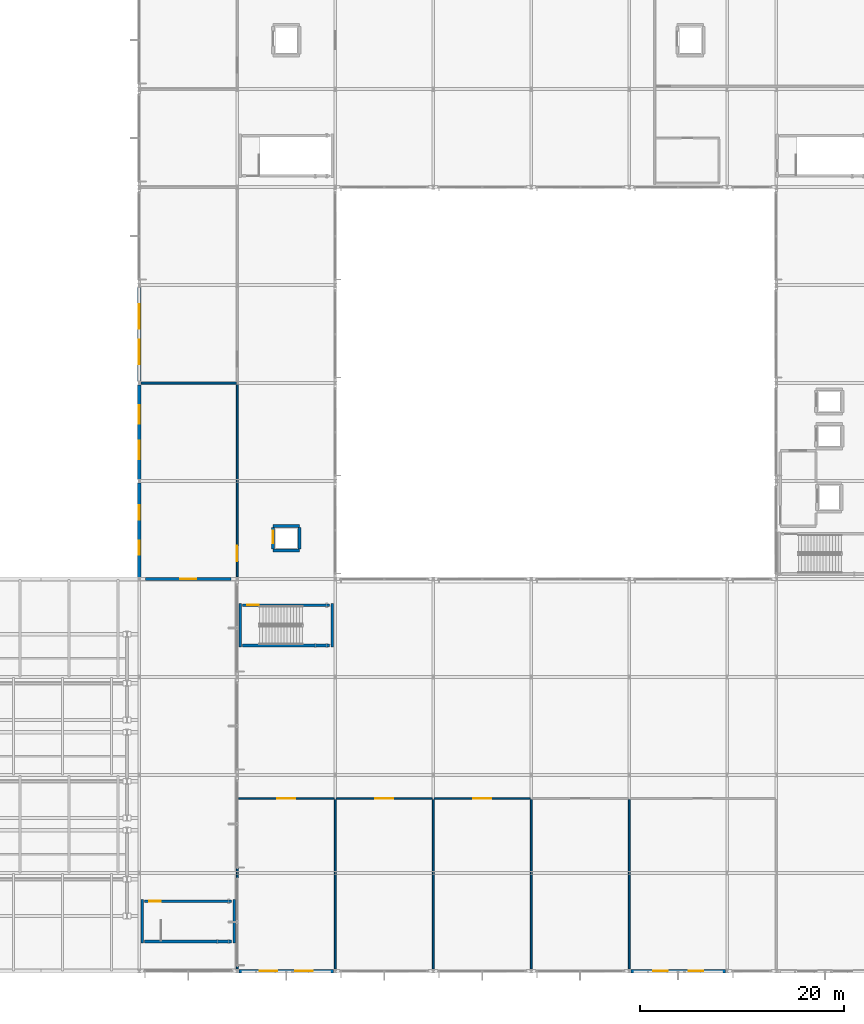
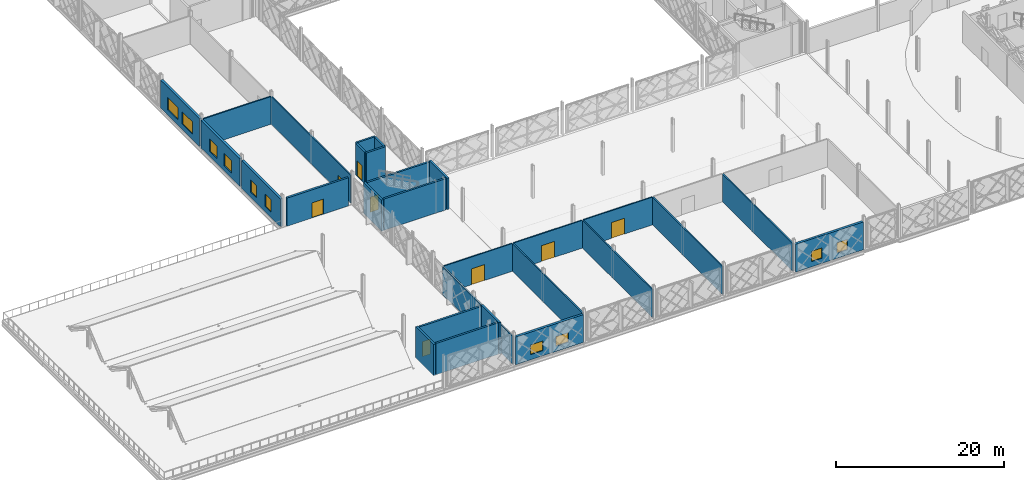
# One storey, part 48 of 77: 28 walls, 10 windows, 8 doors, 18 openings.
"""IFC4 building model written with IfcOpenShell, lengths in metres."""

from ifc_helpers import new_model, si_unit, direction, frame, frame_2d, origin, place, context, subcontext, project, spatial, rectangle, extrude, material, layer, layer_set, type_object, element, fill, save


model = new_model("IFC4")

# Units and contexts
model_context = context("Model", 3, precision=1e-05, world=origin(), true_north=direction((0.0, 1.0)))
body_context = subcontext(model_context, "Body", "Model", "MODEL_VIEW")
ifc_project = project(units=[si_unit("LENGTHUNIT", "METRE"), si_unit("AREAUNIT", "SQUARE_METRE"), si_unit("VOLUMEUNIT", "CUBIC_METRE"), si_unit("PLANEANGLEUNIT", "RADIAN"), si_unit("MASSUNIT", "GRAM", prefix="KILO")], contexts=[model_context])

# Site, building, storey
site_placement = place(None, origin())
site = spatial("IfcSite", under=ifc_project, at=site_placement, CompositionType="ELEMENT")
building_placement = place(site_placement, origin())
building = spatial("IfcBuilding", under=site, at=building_placement, Name="Zevrakil Square Congress Hotel", CompositionType="ELEMENT")
storey_placement = place(building_placement, frame((0.0, 0.0, 9.89990234375)))
storey = spatial("IfcBuildingStorey", under=building, at=storey_placement, Name="L03", CompositionType="ELEMENT", Elevation=9.89990234375)

# Wall, opening, door
ifc_material_1 = material(Name="Gypsum Acoustic Stud Partition")
ifc_layer_1 = layer(ifc_material_1, 0.159912109375)
ifc_layer_set_1 = layer_set([ifc_layer_1], Name="Gypsum Acoustic Stud Partition")
wall_type_1 = type_object("IfcWallType", Name="WAL-CORR-160", PredefinedType="PARTITIONING", material=ifc_layer_set_1)
wall_1_placement = place(storey_placement, frame((55.300048828125, 24.10009765625, 0.0), z_axis=(0.0, 0.0, 1.0), x_axis=(1.0, 0.0, 0.0)))
wall_1 = element("IfcWall", 1, at=wall_1_placement, inside=storey, type_object=wall_type_1, Name="L03 interior partition PW-L03-0213", PredefinedType="PARTITIONING", context=body_context, shape_type="SweptSolid", body=[
    extrude(rectangle(XDim=9.39990234375, YDim=0.159912109375, at=frame_2d((4.699951171875, 0.0))), origin(), (0.0, 0.0, 1.0), 4.025146484375),
])
opening_1_placement = place(wall_1_placement, frame((3.800048828125, 0.0, 0.0)))
opening_1 = element("IfcOpeningElement", 2, at=opening_1_placement, cuts=wall_1, Name="Opening ID-04", PredefinedType="OPENING", context=body_context, shape_type="SweptSolid", body=[
    extrude(rectangle(XDim=1.800048828125, YDim=2.300048828125, at=frame_2d((0.89990234375, 1.14990234375))), frame((0.0, 0.08984375, 0.0), z_axis=(0.0, -1.0, 0.0), x_axis=(1.0, 0.0, 0.0)), (0.0, 0.0, 1.0), 0.179931640625),
])
ifc_material_2 = material(Name="Diplomatic Boardroom Double Door")
door_type_1 = type_object("IfcDoorType", Name="DOR-MTG-180", OperationType="NOTDEFINED", PredefinedType="DOOR", material=ifc_material_2)
door_1_placement = place(opening_1_placement, origin())
door_1 = element("IfcDoor", 3, at=door_1_placement, inside=storey, type_object=door_type_1, Name="L03 interior door 90", OperationType="DOUBLE_DOOR_SINGLE_SWING", OverallHeight=2.300048828125, OverallWidth=1.800048828125, PredefinedType="DOOR", context=body_context, shape_type="SweptSolid", body=[
    extrude(rectangle(XDim=1.800048828125, YDim=2.300048828125, at=frame_2d((0.89990234375, 1.14990234375))), frame((0.0, 0.02490234375, 0.0), z_axis=(0.0, -1.0, 0.0), x_axis=(1.0, 0.0, 0.0)), (0.0, 0.0, 1.0), 0.050048828125),
])
fill(opening_1, door_1)

wall_2_placement = place(storey_placement, frame((64.89990234375, 24.10009765625, 0.0), z_axis=(0.0, 0.0, 1.0), x_axis=(1.0, 0.0, 0.0)))
wall_2 = element("IfcWall", 4, at=wall_2_placement, inside=storey, type_object=wall_type_1, Name="L03 interior partition PW-L03-0215", PredefinedType="PARTITIONING", context=body_context, shape_type="SweptSolid", body=[
    extrude(rectangle(XDim=9.400146484375, YDim=0.159912109375, at=frame_2d((4.7001953125, 0.0))), origin(), (0.0, 0.0, 1.0), 4.025146484375),
])
opening_2_placement = place(wall_2_placement, frame((3.800048828125, 0.0, 0.0)))
opening_2 = element("IfcOpeningElement", 5, at=opening_2_placement, cuts=wall_2, Name="Opening ID-04", PredefinedType="OPENING", context=body_context, shape_type="SweptSolid", body=[
    extrude(rectangle(XDim=1.800048828125, YDim=2.300048828125, at=frame_2d((0.89990234375, 1.14990234375))), frame((0.0, 0.08984375, 0.0), z_axis=(0.0, -1.0, 0.0), x_axis=(1.0, 0.0, 0.0)), (0.0, 0.0, 1.0), 0.179931640625),
])
door_2_placement = place(opening_2_placement, origin())
door_2 = element("IfcDoor", 6, at=door_2_placement, inside=storey, type_object=door_type_1, Name="L03 interior door 91", OperationType="DOUBLE_DOOR_SINGLE_SWING", OverallHeight=2.300048828125, OverallWidth=1.800048828125, PredefinedType="DOOR", context=body_context, shape_type="SweptSolid", body=[
    extrude(rectangle(XDim=1.800048828125, YDim=2.300048828125, at=frame_2d((0.89990234375, 1.14990234375))), frame((0.0, 0.02490234375, 0.0), z_axis=(0.0, -1.0, 0.0), x_axis=(1.0, 0.0, 0.0)), (0.0, 0.0, 1.0), 0.050048828125),
])
fill(opening_2, door_2)

wall_3_placement = place(storey_placement, frame((74.5, 24.10009765625, 0.0), z_axis=(0.0, 0.0, 1.0), x_axis=(1.0, 0.0, 0.0)))
wall_3 = element("IfcWall", 7, at=wall_3_placement, inside=storey, type_object=wall_type_1, Name="L03 interior partition PW-L03-0217", PredefinedType="PARTITIONING", context=body_context, shape_type="SweptSolid", body=[
    extrude(rectangle(XDim=9.39990234375, YDim=0.159912109375, at=frame_2d((4.699951171875, 0.0))), origin(), (0.0, 0.0, 1.0), 4.025146484375),
])
opening_3_placement = place(wall_3_placement, frame((3.800048828125, 0.0, 0.0)))
opening_3 = element("IfcOpeningElement", 8, at=opening_3_placement, cuts=wall_3, Name="Opening ID-04", PredefinedType="OPENING", context=body_context, shape_type="SweptSolid", body=[
    extrude(rectangle(XDim=1.800048828125, YDim=2.300048828125, at=frame_2d((0.89990234375, 1.14990234375))), frame((0.0, 0.08984375, 0.0), z_axis=(0.0, -1.0, 0.0), x_axis=(1.0, 0.0, 0.0)), (0.0, 0.0, 1.0), 0.179931640625),
])
door_3_placement = place(opening_3_placement, origin())
door_3 = element("IfcDoor", 9, at=door_3_placement, inside=storey, type_object=door_type_1, Name="L03 interior door 92", OperationType="DOUBLE_DOOR_SINGLE_SWING", OverallHeight=2.300048828125, OverallWidth=1.800048828125, PredefinedType="DOOR", context=body_context, shape_type="SweptSolid", body=[
    extrude(rectangle(XDim=1.800048828125, YDim=2.300048828125, at=frame_2d((0.89990234375, 1.14990234375))), frame((0.0, 0.02490234375, 0.0), z_axis=(0.0, -1.0, 0.0), x_axis=(1.0, 0.0, 0.0)), (0.0, 0.0, 1.0), 0.050048828125),
])
fill(opening_3, door_3)

wall_4_placement = place(storey_placement, frame((55.199951171875, 45.85009765625, 0.0), z_axis=(0.0, 0.0, 1.0), x_axis=(0.0, 1.0, 0.0)))
wall_4 = element("IfcWall", 10, at=wall_4_placement, inside=storey, type_object=wall_type_1, Name="L03 interior partition PW-L03-0224", PredefinedType="PARTITIONING", context=body_context, shape_type="SweptSolid", body=[
    extrude(rectangle(XDim=18.849853515625, YDim=0.159912109375, at=frame_2d((9.4248046875, 0.0))), origin(), (0.0, 0.0, 1.0), 4.025146484375),
])
opening_4_placement = place(wall_4_placement, frame((1.5, 0.0, 0.0)))
opening_4 = element("IfcOpeningElement", 11, at=opening_4_placement, cuts=wall_4, Name="Opening ID-03", PredefinedType="OPENING", context=body_context, shape_type="SweptSolid", body=[
    extrude(rectangle(XDim=1.5, YDim=2.25, at=frame_2d((0.75, 1.125))), frame((0.0, 0.08984375, 0.0), z_axis=(0.0, -1.0, 0.0), x_axis=(1.0, 0.0, 0.0)), (0.0, 0.0, 1.0), 0.179931640625),
])
ifc_material_3 = material(Name="Acoustic Double Meeting Door")
door_type_2 = type_object("IfcDoorType", Name="DOR-MTG-150", OperationType="NOTDEFINED", PredefinedType="DOOR", material=ifc_material_3)
door_4_placement = place(opening_4_placement, origin())
door_4 = element("IfcDoor", 12, at=door_4_placement, inside=storey, type_object=door_type_2, Name="L03 interior door 95", OperationType="DOUBLE_DOOR_SINGLE_SWING", OverallHeight=2.25, OverallWidth=1.5, PredefinedType="DOOR", context=body_context, shape_type="SweptSolid", body=[
    extrude(rectangle(XDim=1.5, YDim=2.25, at=frame_2d((0.75, 1.125))), frame((0.0, 0.02490234375, 0.0), z_axis=(0.0, -1.0, 0.0), x_axis=(1.0, 0.0, 0.0)), (0.0, 0.0, 1.0), 0.050048828125),
])
fill(opening_4, door_4)

# Wall, openings, windows
ifc_material_4 = material(Name="Precast concrete C40/50", Category="concrete")
ifc_layer_2 = layer(ifc_material_4, 0.320068359375)
ifc_layer_set_2 = layer_set([ifc_layer_2], Name="Precast concrete C40/50")
wall_type_2 = type_object("IfcWallType", Name="WAL-EXT-GRC-320", PredefinedType="SOLIDWALL", material=ifc_layer_set_2)
wall_5_placement = place(storey_placement, frame((55.35400390625, 7.199951171875, 0.0), z_axis=(0.0, 0.0, 1.0), x_axis=(1.0, 0.0, 0.0)))
wall_5 = element("IfcWall", 13, at=wall_5_placement, inside=storey, type_object=wall_type_2, Name="L03 exterior GRC wall EW-L03-0010", PredefinedType="SOLIDWALL", context=body_context, shape_type="SweptSolid", body=[
    extrude(rectangle(XDim=9.2919921875, YDim=0.320068359375, at=frame_2d((4.64599609375, 0.0))), origin(), (0.0, 0.0, 1.0), 4.025146484375),
])
opening_5_placement = place(wall_5_placement, frame((2.048095703125, 0.0, 0.75)))
opening_5 = element("IfcOpeningElement", 14, at=opening_5_placement, cuts=wall_5, Name="Opening WN-04", PredefinedType="OPENING", context=body_context, shape_type="SweptSolid", body=[
    extrude(rectangle(XDim=1.699951171875, YDim=1.39990234375, at=frame_2d((0.85009765625, 0.699951171875))), frame((0.0, 0.169921875, 0.0), z_axis=(0.0, -1.0, 0.0), x_axis=(1.0, 0.0, 0.0)), (0.0, 0.0, 1.0), 0.340087890625),
])
opening_6_placement = place(wall_5_placement, frame((5.5439453125, 0.0, 0.75)))
opening_6 = element("IfcOpeningElement", 15, at=opening_6_placement, cuts=wall_5, Name="Opening WN-04", PredefinedType="OPENING", context=body_context, shape_type="SweptSolid", body=[
    extrude(rectangle(XDim=1.699951171875, YDim=1.39990234375, at=frame_2d((0.85009765625, 0.699951171875))), frame((0.0, 0.169921875, 0.0), z_axis=(0.0, -1.0, 0.0), x_axis=(1.0, 0.0, 0.0)), (0.0, 0.0, 1.0), 0.340087890625),
])
ifc_material_5 = material(Name="Low-E Solar Control Double Glazing", Category="glass")
window_type_1 = type_object("IfcWindowType", Name="WIN-EXT-04", PartitioningType="SINGLE_PANEL", PredefinedType="WINDOW", material=ifc_material_5)
window_1_placement = place(opening_5_placement, origin())
window_1 = element("IfcWindow", 16, at=window_1_placement, inside=storey, type_object=window_type_1, Name="L03 low-E solar window 4", OverallHeight=1.39990234375, OverallWidth=1.699951171875, PartitioningType="SINGLE_PANEL", PredefinedType="WINDOW", context=body_context, shape_type="SweptSolid", body=[
    extrude(rectangle(XDim=1.699951171875, YDim=1.39990234375, at=frame_2d((0.85009765625, 0.699951171875))), frame((0.0, 0.030029296875, 0.0), z_axis=(0.0, -1.0, 0.0), x_axis=(1.0, 0.0, 0.0)), (0.0, 0.0, 1.0), 0.06005859375),
])
fill(opening_5, window_1)
window_2_placement = place(opening_6_placement, origin())
window_2 = element("IfcWindow", 17, at=window_2_placement, inside=storey, type_object=window_type_1, Name="L03 low-E solar window 5", OverallHeight=1.39990234375, OverallWidth=1.699951171875, PartitioningType="SINGLE_PANEL", PredefinedType="WINDOW", context=body_context, shape_type="SweptSolid", body=[
    extrude(rectangle(XDim=1.699951171875, YDim=1.39990234375, at=frame_2d((0.85009765625, 0.699951171875))), frame((0.0, 0.030029296875, 0.0), z_axis=(0.0, -1.0, 0.0), x_axis=(1.0, 0.0, 0.0)), (0.0, 0.0, 1.0), 0.06005859375),
])
fill(opening_6, window_2)

wall_6_placement = place(storey_placement, frame((93.75390625, 7.199951171875, 0.0), z_axis=(0.0, 0.0, 1.0), x_axis=(1.0, 0.0, 0.0)))
wall_6 = element("IfcWall", 18, at=wall_6_placement, inside=storey, type_object=wall_type_2, Name="L03 exterior GRC wall EW-L03-0016", PredefinedType="SOLIDWALL", context=body_context, shape_type="SweptSolid", body=[
    extrude(rectangle(XDim=9.2919921875, YDim=0.320068359375, at=frame_2d((4.64599609375, 0.0))), origin(), (0.0, 0.0, 1.0), 4.025146484375),
])
opening_7_placement = place(wall_6_placement, frame((2.197998046875, 0.0, 0.75)))
opening_7 = element("IfcOpeningElement", 19, at=opening_7_placement, cuts=wall_6, Name="Opening WN-08", PredefinedType="OPENING", context=body_context, shape_type="SweptSolid", body=[
    extrude(rectangle(XDim=1.39990234375, YDim=1.5, at=frame_2d((0.699951171875, 0.75))), frame((0.0, 0.169921875, 0.0), z_axis=(0.0, -1.0, 0.0), x_axis=(1.0, 0.0, 0.0)), (0.0, 0.0, 1.0), 0.340087890625),
])
opening_8_placement = place(wall_6_placement, frame((5.694091796875, 0.0, 0.75)))
opening_8 = element("IfcOpeningElement", 20, at=opening_8_placement, cuts=wall_6, Name="Opening WN-08", PredefinedType="OPENING", context=body_context, shape_type="SweptSolid", body=[
    extrude(rectangle(XDim=1.39990234375, YDim=1.5, at=frame_2d((0.699951171875, 0.75))), frame((0.0, 0.169921875, 0.0), z_axis=(0.0, -1.0, 0.0), x_axis=(1.0, 0.0, 0.0)), (0.0, 0.0, 1.0), 0.340087890625),
])
ifc_material_6 = material(Name="Low-E Solar Control Double Glazing", Category="glass")
window_type_2 = type_object("IfcWindowType", Name="WIN-EXT-08", PartitioningType="SINGLE_PANEL", PredefinedType="WINDOW", material=ifc_material_6)
window_3_placement = place(opening_7_placement, origin())
window_3 = element("IfcWindow", 21, at=window_3_placement, inside=storey, type_object=window_type_2, Name="L03 low-E solar window 8", OverallHeight=1.5, OverallWidth=1.39990234375, PartitioningType="SINGLE_PANEL", PredefinedType="WINDOW", context=body_context, shape_type="SweptSolid", body=[
    extrude(rectangle(XDim=1.39990234375, YDim=1.5, at=frame_2d((0.699951171875, 0.75))), frame((0.0, 0.030029296875, 0.0), z_axis=(0.0, -1.0, 0.0), x_axis=(1.0, 0.0, 0.0)), (0.0, 0.0, 1.0), 0.06005859375),
])
fill(opening_7, window_3)
window_4_placement = place(opening_8_placement, origin())
window_4 = element("IfcWindow", 22, at=window_4_placement, inside=storey, type_object=window_type_2, Name="L03 low-E solar window 9", OverallHeight=1.5, OverallWidth=1.39990234375, PartitioningType="SINGLE_PANEL", PredefinedType="WINDOW", context=body_context, shape_type="SweptSolid", body=[
    extrude(rectangle(XDim=1.39990234375, YDim=1.5, at=frame_2d((0.699951171875, 0.75))), frame((0.0, 0.030029296875, 0.0), z_axis=(0.0, -1.0, 0.0), x_axis=(1.0, 0.0, 0.0)), (0.0, 0.0, 1.0), 0.06005859375),
])
fill(opening_8, window_4)

wall_7_placement = place(storey_placement, frame((45.60009765625, 45.783935546875, 0.0), z_axis=(0.0, 0.0, 1.0), x_axis=(0.0, 1.0, 0.0)))
wall_7 = element("IfcWall", 23, at=wall_7_placement, inside=storey, type_object=wall_type_2, Name="L03 exterior GRC wall EW-L03-0033", PredefinedType="SOLIDWALL", context=body_context, shape_type="SweptSolid", body=[
    extrude(rectangle(XDim=9.232177734375, YDim=0.320068359375, at=frame_2d((4.6162109375, 0.0))), origin(), (0.0, 0.0, 1.0), 4.025146484375),
])
opening_9_placement = place(wall_7_placement, frame((2.18310546875, 0.0, 0.75)))
opening_9 = element("IfcOpeningElement", 24, at=opening_9_placement, cuts=wall_7, Name="Opening WN-20", PredefinedType="OPENING", context=body_context, shape_type="SweptSolid", body=[
    extrude(rectangle(XDim=1.39990234375, YDim=1.800048828125, at=frame_2d((0.699951171875, 0.89990234375))), frame((0.0, 0.169921875, 0.0), z_axis=(0.0, -1.0, 0.0), x_axis=(1.0, 0.0, 0.0)), (0.0, 0.0, 1.0), 0.340087890625),
])
opening_10_placement = place(wall_7_placement, frame((5.64892578125, 0.0, 0.75)))
opening_10 = element("IfcOpeningElement", 25, at=opening_10_placement, cuts=wall_7, Name="Opening WN-20", PredefinedType="OPENING", context=body_context, shape_type="SweptSolid", body=[
    extrude(rectangle(XDim=1.39990234375, YDim=1.800048828125, at=frame_2d((0.699951171875, 0.89990234375))), frame((0.0, 0.169921875, 0.0), z_axis=(0.0, -1.0, 0.0), x_axis=(1.0, 0.0, 0.0)), (0.0, 0.0, 1.0), 0.340087890625),
])
ifc_material_7 = material(Name="Low-E Solar Control Double Glazing", Category="glass")
window_type_3 = type_object("IfcWindowType", Name="WIN-EXT-20", PartitioningType="SINGLE_PANEL", PredefinedType="WINDOW", material=ifc_material_7)
window_5_placement = place(opening_9_placement, origin())
window_5 = element("IfcWindow", 26, at=window_5_placement, inside=storey, type_object=window_type_3, Name="L03 low-E solar window 20", OverallHeight=1.800048828125, OverallWidth=1.39990234375, PartitioningType="SINGLE_PANEL", PredefinedType="WINDOW", context=body_context, shape_type="SweptSolid", body=[
    extrude(rectangle(XDim=1.39990234375, YDim=1.800048828125, at=frame_2d((0.699951171875, 0.89990234375))), frame((0.0, 0.030029296875, 0.0), z_axis=(0.0, -1.0, 0.0), x_axis=(1.0, 0.0, 0.0)), (0.0, 0.0, 1.0), 0.06005859375),
])
fill(opening_9, window_5)
window_6_placement = place(opening_10_placement, origin())
window_6 = element("IfcWindow", 27, at=window_6_placement, inside=storey, type_object=window_type_3, Name="L03 low-E solar window 21", OverallHeight=1.800048828125, OverallWidth=1.39990234375, PartitioningType="SINGLE_PANEL", PredefinedType="WINDOW", context=body_context, shape_type="SweptSolid", body=[
    extrude(rectangle(XDim=1.39990234375, YDim=1.800048828125, at=frame_2d((0.699951171875, 0.89990234375))), frame((0.0, 0.030029296875, 0.0), z_axis=(0.0, -1.0, 0.0), x_axis=(1.0, 0.0, 0.0)), (0.0, 0.0, 1.0), 0.06005859375),
])
fill(opening_10, window_6)

wall_8_placement = place(storey_placement, frame((45.60009765625, 55.384033203125, 0.0), z_axis=(0.0, 0.0, 1.0), x_axis=(0.0, 1.0, 0.0)))
wall_8 = element("IfcWall", 28, at=wall_8_placement, inside=storey, type_object=wall_type_2, Name="L03 exterior GRC wall EW-L03-0034", PredefinedType="SOLIDWALL", context=body_context, shape_type="SweptSolid", body=[
    extrude(rectangle(XDim=9.23193359375, YDim=0.320068359375, at=frame_2d((4.615966796875, 0.0))), origin(), (0.0, 0.0, 1.0), 4.025146484375),
])
opening_11_placement = place(wall_8_placement, frame((1.98291015625, 0.0, 0.75)))
opening_11 = element("IfcOpeningElement", 29, at=opening_11_placement, cuts=wall_8, Name="Opening WN-22", PredefinedType="OPENING", context=body_context, shape_type="SweptSolid", body=[
    extrude(rectangle(XDim=1.800048828125, YDim=1.800048828125, at=frame_2d((0.89990234375, 0.89990234375))), frame((0.0, 0.169921875, 0.0), z_axis=(0.0, -1.0, 0.0), x_axis=(1.0, 0.0, 0.0)), (0.0, 0.0, 1.0), 0.340087890625),
])
opening_12_placement = place(wall_8_placement, frame((5.448974609375, 0.0, 0.75)))
opening_12 = element("IfcOpeningElement", 30, at=opening_12_placement, cuts=wall_8, Name="Opening WN-22", PredefinedType="OPENING", context=body_context, shape_type="SweptSolid", body=[
    extrude(rectangle(XDim=1.800048828125, YDim=1.800048828125, at=frame_2d((0.89990234375, 0.89990234375))), frame((0.0, 0.169921875, 0.0), z_axis=(0.0, -1.0, 0.0), x_axis=(1.0, 0.0, 0.0)), (0.0, 0.0, 1.0), 0.340087890625),
])
ifc_material_8 = material(Name="Low-E Solar Control Double Glazing", Category="glass")
window_type_4 = type_object("IfcWindowType", Name="WIN-EXT-22", PartitioningType="SINGLE_PANEL", PredefinedType="WINDOW", material=ifc_material_8)
window_7_placement = place(opening_11_placement, origin())
window_7 = element("IfcWindow", 31, at=window_7_placement, inside=storey, type_object=window_type_4, Name="L03 low-E solar window 22", OverallHeight=1.800048828125, OverallWidth=1.800048828125, PartitioningType="SINGLE_PANEL", PredefinedType="WINDOW", context=body_context, shape_type="SweptSolid", body=[
    extrude(rectangle(XDim=1.800048828125, YDim=1.800048828125, at=frame_2d((0.89990234375, 0.89990234375))), frame((0.0, 0.030029296875, 0.0), z_axis=(0.0, -1.0, 0.0), x_axis=(1.0, 0.0, 0.0)), (0.0, 0.0, 1.0), 0.06005859375),
])
fill(opening_11, window_7)
window_8_placement = place(opening_12_placement, origin())
window_8 = element("IfcWindow", 32, at=window_8_placement, inside=storey, type_object=window_type_4, Name="L03 low-E solar window 23", OverallHeight=1.800048828125, OverallWidth=1.800048828125, PartitioningType="SINGLE_PANEL", PredefinedType="WINDOW", context=body_context, shape_type="SweptSolid", body=[
    extrude(rectangle(XDim=1.800048828125, YDim=1.800048828125, at=frame_2d((0.89990234375, 0.89990234375))), frame((0.0, 0.030029296875, 0.0), z_axis=(0.0, -1.0, 0.0), x_axis=(1.0, 0.0, 0.0)), (0.0, 0.0, 1.0), 0.06005859375),
])
fill(opening_12, window_8)

wall_9_placement = place(storey_placement, frame((45.60009765625, 64.98388671875, 0.0), z_axis=(0.0, 0.0, 1.0), x_axis=(0.0, 1.0, 0.0)))
wall_9 = element("IfcWall", 33, at=wall_9_placement, inside=storey, type_object=wall_type_2, Name="L03 exterior GRC wall EW-L03-0035", PredefinedType="SOLIDWALL", context=body_context, shape_type="SweptSolid", body=[
    extrude(rectangle(XDim=9.232177734375, YDim=0.320068359375, at=frame_2d((4.6162109375, 0.0))), origin(), (0.0, 0.0, 1.0), 4.025146484375),
])
opening_13_placement = place(wall_9_placement, frame((1.68310546875, 0.0, 0.75)))
opening_13 = element("IfcOpeningElement", 34, at=opening_13_placement, cuts=wall_9, Name="Opening WN-24", PredefinedType="OPENING", context=body_context, shape_type="SweptSolid", body=[
    extrude(rectangle(XDim=2.39990234375, YDim=1.800048828125, at=frame_2d((1.199951171875, 0.89990234375))), frame((0.0, 0.169921875, 0.0), z_axis=(0.0, -1.0, 0.0), x_axis=(1.0, 0.0, 0.0)), (0.0, 0.0, 1.0), 0.340087890625),
])
opening_14_placement = place(wall_9_placement, frame((5.14892578125, 0.0, 0.75)))
opening_14 = element("IfcOpeningElement", 35, at=opening_14_placement, cuts=wall_9, Name="Opening WN-24", PredefinedType="OPENING", context=body_context, shape_type="SweptSolid", body=[
    extrude(rectangle(XDim=2.39990234375, YDim=1.800048828125, at=frame_2d((1.199951171875, 0.89990234375))), frame((0.0, 0.169921875, 0.0), z_axis=(0.0, -1.0, 0.0), x_axis=(1.0, 0.0, 0.0)), (0.0, 0.0, 1.0), 0.340087890625),
])
ifc_material_9 = material(Name="Low-E Solar Control Double Glazing", Category="glass")
window_type_5 = type_object("IfcWindowType", Name="WIN-EXT-24", PartitioningType="SINGLE_PANEL", PredefinedType="WINDOW", material=ifc_material_9)
window_9_placement = place(opening_13_placement, origin())
window_9 = element("IfcWindow", 36, at=window_9_placement, inside=storey, type_object=window_type_5, Name="L03 low-E solar window 24", OverallHeight=1.800048828125, OverallWidth=2.39990234375, PartitioningType="SINGLE_PANEL", PredefinedType="WINDOW", context=body_context, shape_type="SweptSolid", body=[
    extrude(rectangle(XDim=2.39990234375, YDim=1.800048828125, at=frame_2d((1.199951171875, 0.89990234375))), frame((0.0, 0.030029296875, 0.0), z_axis=(0.0, -1.0, 0.0), x_axis=(1.0, 0.0, 0.0)), (0.0, 0.0, 1.0), 0.06005859375),
])
fill(opening_13, window_9)
window_10_placement = place(opening_14_placement, origin())
window_10 = element("IfcWindow", 37, at=window_10_placement, inside=storey, type_object=window_type_5, Name="L03 low-E solar window 25", OverallHeight=1.800048828125, OverallWidth=2.39990234375, PartitioningType="SINGLE_PANEL", PredefinedType="WINDOW", context=body_context, shape_type="SweptSolid", body=[
    extrude(rectangle(XDim=2.39990234375, YDim=1.800048828125, at=frame_2d((1.199951171875, 0.89990234375))), frame((0.0, 0.030029296875, 0.0), z_axis=(0.0, -1.0, 0.0), x_axis=(1.0, 0.0, 0.0)), (0.0, 0.0, 1.0), 0.06005859375),
])
fill(opening_14, window_10)

# Wall, opening, door
ifc_material_10 = material(Name="Precast concrete C40/50", Category="concrete")
ifc_layer_3 = layer(ifc_material_10, 0.280029296875)
ifc_layer_set_3 = layer_set([ifc_layer_3], Name="Precast concrete C40/50")
wall_type_3 = type_object("IfcWallType", Name="WAL-EXT-PAV-280", PredefinedType="SOLIDWALL", material=ifc_layer_set_3)
wall_10_placement = place(storey_placement, frame((46.199951171875, 45.60009765625, 0.0), z_axis=(0.0, 0.0, 1.0), x_axis=(1.0, 0.0, 0.0)))
wall_10 = element("IfcWall", 38, at=wall_10_placement, inside=storey, type_object=wall_type_3, Name="L03 exterior GRC wall EW-L03-0040", PredefinedType="SOLIDWALL", context=body_context, shape_type="SweptSolid", body=[
    extrude(rectangle(XDim=8.400146484375, YDim=0.280029296875, at=frame_2d((4.2001953125, 0.0))), origin(), (0.0, 0.0, 1.0), 4.085205078125),
])
opening_15_placement = place(wall_10_placement, frame((3.39990234375, 0.0, 0.0)))
opening_15 = element("IfcOpeningElement", 39, at=opening_15_placement, cuts=wall_10, Name="Opening TD-02", PredefinedType="OPENING", context=body_context, shape_type="SweptSolid", body=[
    extrude(rectangle(XDim=1.60009765625, YDim=2.199951171875, at=frame_2d((0.800048828125, 1.10009765625))), frame((0.0, 0.14990234375, 0.0), z_axis=(0.0, -1.0, 0.0), x_axis=(1.0, 0.0, 0.0)), (0.0, 0.0, 1.0), 0.300048828125),
])
ifc_material_11 = material(Name="Aluminium Thermal-Break Glazed Door", Category="aluminium")
door_type_3 = type_object("IfcDoorType", Name="DOR-TERR-160", OperationType="NOTDEFINED", PredefinedType="DOOR", material=ifc_material_11)
door_5_placement = place(opening_15_placement, origin())
door_5 = element("IfcDoor", 40, at=door_5_placement, inside=storey, type_object=door_type_3, Name="L03 walkable roof garden terrace door", OperationType="DOUBLE_DOOR_SINGLE_SWING", OverallHeight=2.199951171875, OverallWidth=1.60009765625, PredefinedType="DOOR", context=body_context, shape_type="SweptSolid", body=[
    extrude(rectangle(XDim=1.60009765625, YDim=2.199951171875, at=frame_2d((0.800048828125, 1.10009765625))), frame((0.0, 0.02490234375, 0.0), z_axis=(0.0, -1.0, 0.0), x_axis=(1.0, 0.0, 0.0)), (0.0, 0.0, 1.0), 0.050048828125),
])
fill(opening_15, door_5)

# Walls
ifc_material_12 = material(Name="Gypsum Twin-Stud Party Partition")
ifc_layer_4 = layer(ifc_material_12, 0.179931640625)
ifc_layer_set_4 = layer_set([ifc_layer_4], Name="Gypsum Twin-Stud Party Partition")
wall_type_4 = type_object("IfcWallType", Name="WAL-PARTY-180", PredefinedType="PARTITIONING", material=ifc_layer_set_4)
for number, where, z_axis, x_axis, name in (
    (41, (55.199951171875, 7.39990234375, 0.0), (0.0, 0.0, 1.0), (0.0, 1.0, 0.0), "L03 interior partition PW-L03-0214"),
    (42, (64.800048828125, 7.39990234375, 0.0), (0.0, 0.0, 1.0), (0.0, 1.0, 0.0), "L03 interior partition PW-L03-0216"),
    (43, (74.39990234375, 7.39990234375, 0.0), (0.0, 0.0, 1.0), (0.0, 1.0, 0.0), "L03 interior partition PW-L03-0218"),
    (44, (84.0, 7.39990234375, 0.0), (0.0, 0.0, 1.0), (0.0, 1.0, 0.0), "L03 interior partition PW-L03-0220"),
    (45, (93.60009765625, 7.39990234375, 0.0), (0.0, 0.0, 1.0), (0.0, 1.0, 0.0), "L03 interior partition PW-L03-0222"),
):
    element("IfcWall", number, at=place(storey_placement, frame(where, z_axis=z_axis, x_axis=x_axis)), inside=storey, type_object=wall_type_4, Name=name, PredefinedType="PARTITIONING", context=body_context, shape_type="SweptSolid", body=[
        extrude(rectangle(XDim=16.610107421875, YDim=0.179931640625, at=frame_2d((8.30517578125, 0.0))), origin(), (0.0, 0.0, 1.0), 4.025146484375),
    ])
wall_11_placement = place(storey_placement, frame((45.780029296875, 64.800048828125, 0.0), z_axis=(0.0, 0.0, 1.0), x_axis=(1.0, 0.0, 0.0)))
element("IfcWall", 46, at=wall_11_placement, inside=storey, type_object=wall_type_4, Name="L03 interior partition PW-L03-0225", PredefinedType="PARTITIONING", context=body_context, shape_type="SweptSolid", body=[
    extrude(rectangle(XDim=9.330078125, YDim=0.179931640625, at=frame_2d((4.6650390625, 0.0))), origin(), (0.0, 0.0, 1.0), 4.025146484375),
])
ifc_material_13 = material(Name="Concrete C40/50", Category="concrete")
ifc_layer_5 = layer(ifc_material_13, 0.260009765625)
ifc_layer_set_5 = layer_set([ifc_layer_5], Name="Concrete C40/50")
wall_type_5 = type_object("IfcWallType", Name="WAL-SHAFT-260", PredefinedType="SHEAR", material=ifc_layer_set_5)
for number, where, z_axis, x_axis, name in (
    (47, (55.5048828125, 38.93994140625, 0.0), (0.0, 0.0, 1.0), (0.0, 1.0, 0.0), "L03 ST04 stair shaft W wall"),
    (48, (64.4951171875, 38.93994140625, 0.0), (0.0, 0.0, 1.0), (0.0, 1.0, 0.0), "L03 ST04 stair shaft E wall"),
):
    element("IfcWall", number, at=place(storey_placement, frame(where, z_axis=z_axis, x_axis=x_axis)), inside=storey, type_object=wall_type_5, Name=name, PredefinedType="SHEAR", context=body_context, shape_type="SweptSolid", body=[
        extrude(rectangle(XDim=4.27001953125, YDim=0.260009765625, at=frame_2d((2.135009765625, 0.0))), origin(), (0.0, 0.0, 1.0), 4.5400390625),
    ])
wall_12_placement = place(storey_placement, frame((55.739990234375, 39.10498046875, 0.0), z_axis=(0.0, 0.0, 1.0), x_axis=(1.0, 0.0, 0.0)))
element("IfcWall", 49, at=wall_12_placement, inside=storey, type_object=wall_type_5, Name="L03 ST04 stair shaft S wall", PredefinedType="SHEAR", context=body_context, shape_type="SweptSolid", body=[
    extrude(rectangle(XDim=8.52001953125, YDim=0.260009765625, at=frame_2d((4.260009765625, 0.0))), origin(), (0.0, 0.0, 1.0), 4.5400390625),
])

# Wall, opening, door
wall_13_placement = place(storey_placement, frame((55.739990234375, 43.044921875, 0.0), z_axis=(0.0, 0.0, 1.0), x_axis=(1.0, 0.0, 0.0)))
wall_13 = element("IfcWall", 50, at=wall_13_placement, inside=storey, type_object=wall_type_5, Name="L03 ST04 stair shaft N wall", PredefinedType="SHEAR", context=body_context, shape_type="SweptSolid", body=[
    extrude(rectangle(XDim=8.52001953125, YDim=0.260009765625, at=frame_2d((4.260009765625, 0.0))), origin(), (0.0, 0.0, 1.0), 4.5400390625),
])
opening_16_placement = place(wall_13_placement, frame((0.449951171875, 0.0, 0.0)))
opening_16 = element("IfcOpeningElement", 51, at=opening_16_placement, cuts=wall_13, Name="Opening SD-ST04", PredefinedType="OPENING", context=body_context, shape_type="SweptSolid", body=[
    extrude(rectangle(XDim=1.10009765625, YDim=2.199951171875, at=frame_2d((0.550048828125, 1.10009765625))), frame((0.0, 0.14013671875, 0.0), z_axis=(0.0, -1.0, 0.0), x_axis=(1.0, 0.0, 0.0)), (0.0, 0.0, 1.0), 0.280029296875),
])
ifc_material_14 = material(Name="Steel S355 Fire-Rated Door", Category="steel")
door_type_4 = type_object("IfcDoorType", Name="DOR-STAIR-FD90-110", OperationType="NOTDEFINED", PredefinedType="DOOR", material=ifc_material_14)
door_6_placement = place(opening_16_placement, origin())
door_6 = element("IfcDoor", 52, at=door_6_placement, inside=storey, type_object=door_type_4, Name="L03 ST04 protected stair fire door", OperationType="SINGLE_SWING_RIGHT", OverallHeight=2.199951171875, OverallWidth=1.10009765625, PredefinedType="DOOR", context=body_context, shape_type="SweptSolid", body=[
    extrude(rectangle(XDim=1.10009765625, YDim=2.199951171875, at=frame_2d((0.550048828125, 1.10009765625))), frame((0.0, 0.02490234375, 0.0), z_axis=(0.0, -1.0, 0.0), x_axis=(1.0, 0.0, 0.0)), (0.0, 0.0, 1.0), 0.050048828125),
])
fill(opening_16, door_6)

# Walls
for number, where, z_axis, x_axis, name in (
    (53, (45.905029296875, 9.93994140625, 0.0), (0.0, 0.0, 1.0), (0.0, 1.0, 0.0), "L03 ST12 stair shaft W wall"),
    (54, (54.89501953125, 9.93994140625, 0.0), (0.0, 0.0, 1.0), (0.0, 1.0, 0.0), "L03 ST12 stair shaft E wall"),
):
    element("IfcWall", number, at=place(storey_placement, frame(where, z_axis=z_axis, x_axis=x_axis)), inside=storey, type_object=wall_type_5, Name=name, PredefinedType="SHEAR", context=body_context, shape_type="SweptSolid", body=[
        extrude(rectangle(XDim=4.27001953125, YDim=0.260009765625, at=frame_2d((2.135009765625, 0.0))), origin(), (0.0, 0.0, 1.0), 4.550048828125),
    ])
wall_14_placement = place(storey_placement, frame((46.139892578125, 10.10498046875, 0.0), z_axis=(0.0, 0.0, 1.0), x_axis=(1.0, 0.0, 0.0)))
element("IfcWall", 55, at=wall_14_placement, inside=storey, type_object=wall_type_5, Name="L03 ST12 stair shaft S wall", PredefinedType="SHEAR", context=body_context, shape_type="SweptSolid", body=[
    extrude(rectangle(XDim=8.52001953125, YDim=0.260009765625, at=frame_2d((4.260009765625, 0.0))), origin(), (0.0, 0.0, 1.0), 4.550048828125),
])

# Wall, opening, door
wall_15_placement = place(storey_placement, frame((46.139892578125, 14.044921875, 0.0), z_axis=(0.0, 0.0, 1.0), x_axis=(1.0, 0.0, 0.0)))
wall_15 = element("IfcWall", 56, at=wall_15_placement, inside=storey, type_object=wall_type_5, Name="L03 ST12 stair shaft N wall", PredefinedType="SHEAR", context=body_context, shape_type="SweptSolid", body=[
    extrude(rectangle(XDim=8.52001953125, YDim=0.260009765625, at=frame_2d((4.260009765625, 0.0))), origin(), (0.0, 0.0, 1.0), 4.550048828125),
])
opening_17_placement = place(wall_15_placement, frame((0.449951171875, 0.0, 0.0)))
opening_17 = element("IfcOpeningElement", 57, at=opening_17_placement, cuts=wall_15, Name="Opening SD-ST12", PredefinedType="OPENING", context=body_context, shape_type="SweptSolid", body=[
    extrude(rectangle(XDim=1.10009765625, YDim=2.199951171875, at=frame_2d((0.550048828125, 1.10009765625))), frame((0.0, 0.14013671875, 0.0), z_axis=(0.0, -1.0, 0.0), x_axis=(1.0, 0.0, 0.0)), (0.0, 0.0, 1.0), 0.280029296875),
])
door_7_placement = place(opening_17_placement, origin())
door_7 = element("IfcDoor", 58, at=door_7_placement, inside=storey, type_object=door_type_4, Name="L03 ST12 protected stair fire door", OperationType="SINGLE_SWING_RIGHT", OverallHeight=2.199951171875, OverallWidth=1.10009765625, PredefinedType="DOOR", context=body_context, shape_type="SweptSolid", body=[
    extrude(rectangle(XDim=1.10009765625, YDim=2.199951171875, at=frame_2d((0.550048828125, 1.10009765625))), frame((0.0, 0.02490234375, 0.0), z_axis=(0.0, -1.0, 0.0), x_axis=(1.0, 0.0, 0.0)), (0.0, 0.0, 1.0), 0.050048828125),
])
fill(opening_17, door_7)

# Walls
for number, where, z_axis, x_axis, name in (
    (59, (58.699951171875, 48.39990234375, 0.0), (0.0, 0.0, 1.0), (1.0, 0.0, 0.0), "L03 CL3 lift shaft wall"),
    (60, (58.699951171875, 50.800048828125, 0.0), (0.0, 0.0, 1.0), (1.0, 0.0, 0.0), "L03 CL3 lift shaft wall"),
):
    element("IfcWall", number, at=place(storey_placement, frame(where, z_axis=z_axis, x_axis=x_axis)), inside=storey, type_object=wall_type_5, Name=name, PredefinedType="SHEAR", context=body_context, shape_type="SweptSolid", body=[
        extrude(rectangle(XDim=2.60009765625, YDim=0.260009765625, at=frame_2d((1.300048828125, 0.0))), origin(), (0.0, 0.0, 1.0), 4.5400390625),
    ])

# Wall, opening, door
wall_16_placement = place(storey_placement, frame((58.699951171875, 48.5400390625, 0.0), z_axis=(0.0, 0.0, 1.0), x_axis=(0.0, 1.0, 0.0)))
wall_16 = element("IfcWall", 61, at=wall_16_placement, inside=storey, type_object=wall_type_5, Name="L03 CL3 lift shaft wall", PredefinedType="SHEAR", context=body_context, shape_type="SweptSolid", body=[
    extrude(rectangle(XDim=2.119873046875, YDim=0.260009765625, at=frame_2d((1.06005859375, 0.0))), origin(), (0.0, 0.0, 1.0), 4.5400390625),
])
opening_18_placement = place(wall_16_placement, frame((0.60009765625, 0.0, 0.0)))
opening_18 = element("IfcOpeningElement", 62, at=opening_18_placement, cuts=wall_16, Name="Opening LD-CL3", PredefinedType="OPENING", context=body_context, shape_type="SweptSolid", body=[
    extrude(rectangle(XDim=1.199951171875, YDim=2.199951171875, at=frame_2d((0.60009765625, 1.10009765625))), frame((0.0, 0.14013671875, 0.0), z_axis=(0.0, -1.0, 0.0), x_axis=(1.0, 0.0, 0.0)), (0.0, 0.0, 1.0), 0.280029296875),
])
ifc_material_15 = material(Name="Stainless Steel Sliding Lift Landing Door", Category="steel")
door_type_5 = type_object("IfcDoorType", Name="DOR-LIFT-LD120", OperationType="NOTDEFINED", PredefinedType="DOOR", material=ifc_material_15)
door_8_placement = place(opening_18_placement, origin())
door_8 = element("IfcDoor", 63, at=door_8_placement, inside=storey, type_object=door_type_5, Name="L03 CL3 sliding lift landing door", OperationType="SLIDING_TO_RIGHT", OverallHeight=2.199951171875, OverallWidth=1.199951171875, PredefinedType="DOOR", context=body_context, shape_type="SweptSolid", body=[
    extrude(rectangle(XDim=1.199951171875, YDim=2.199951171875, at=frame_2d((0.60009765625, 1.10009765625))), frame((0.0, 0.02490234375, 0.0), z_axis=(0.0, -1.0, 0.0), x_axis=(1.0, 0.0, 0.0)), (0.0, 0.0, 1.0), 0.050048828125),
])
fill(opening_18, door_8)

# Wall
wall_17_placement = place(storey_placement, frame((61.300048828125, 48.5400390625, 0.0), z_axis=(0.0, 0.0, 1.0), x_axis=(0.0, 1.0, 0.0)))
element("IfcWall", 64, at=wall_17_placement, inside=storey, type_object=wall_type_5, Name="L03 CL3 lift shaft wall", PredefinedType="SHEAR", context=body_context, shape_type="SweptSolid", body=[
    extrude(rectangle(XDim=2.119873046875, YDim=0.260009765625, at=frame_2d((1.06005859375, 0.0))), origin(), (0.0, 0.0, 1.0), 4.5400390625),
])

save(model, "model.ifc")
